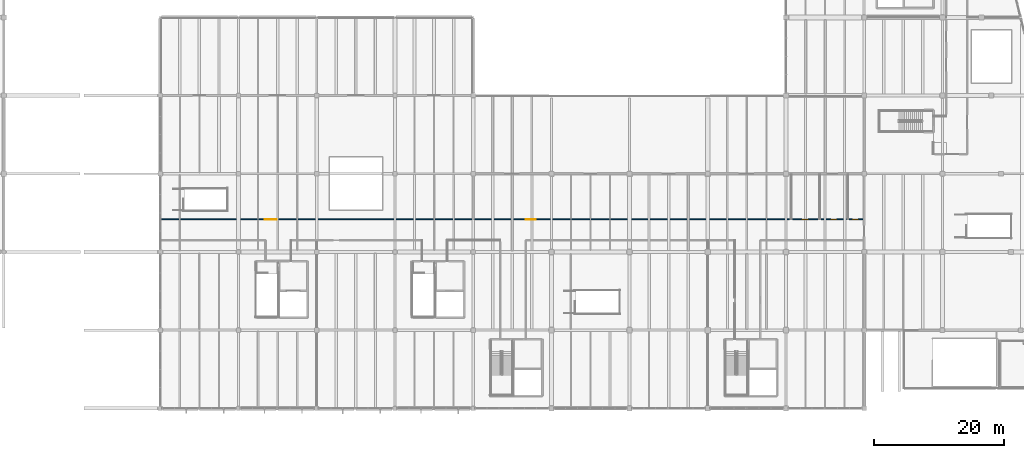
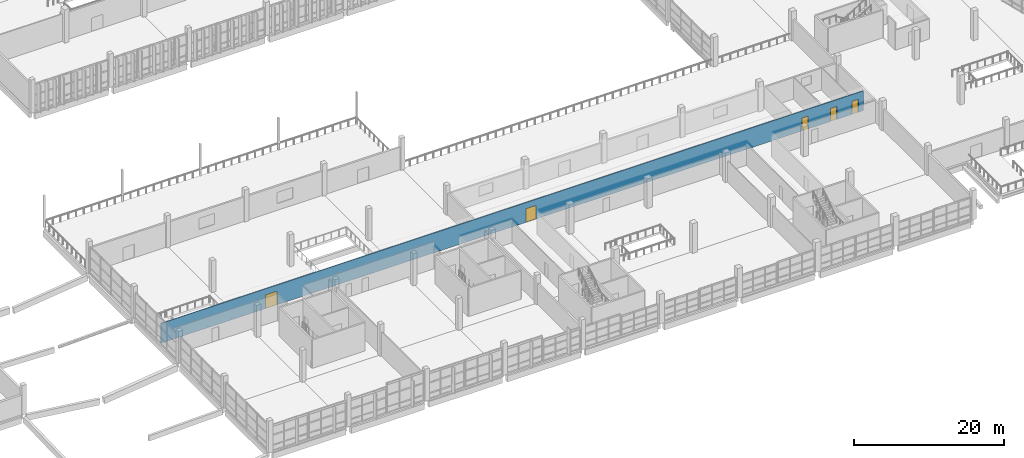
# One storey, part 78 of 112: 5 doors, 1 wall, 5 openings.
"""IFC4 building model written with IfcOpenShell, lengths in metres."""

from ifc_helpers import new_model, si_unit, direction, frame, frame_2d, origin, place, context, subcontext, project, spatial, rectangle, extrude, material, layer, layer_set, type_object, element, fill, save


model = new_model("IFC4")

# Units and contexts
model_context = context("Model", 3, precision=1e-05, world=origin(), true_north=direction((0.0, 1.0)))
body_context = subcontext(model_context, "Body", "Model", "MODEL_VIEW")
ifc_project = project(units=[si_unit("LENGTHUNIT", "METRE"), si_unit("AREAUNIT", "SQUARE_METRE"), si_unit("VOLUMEUNIT", "CUBIC_METRE"), si_unit("PLANEANGLEUNIT", "RADIAN"), si_unit("MASSUNIT", "GRAM", prefix="KILO")], contexts=[model_context])

# Site, building, storey
site_placement = place(None, origin())
site = spatial("IfcSite", under=ifc_project, at=site_placement, CompositionType="ELEMENT")
building_placement = place(site_placement, origin())
building = spatial("IfcBuilding", under=site, at=building_placement, Name="Kamomehara Wholesale Market", CompositionType="ELEMENT")
storey_placement = place(building_placement, frame((0.0, 0.0, 6.60009765625)))
storey = spatial("IfcBuildingStorey", under=building, at=storey_placement, Name="L01", CompositionType="ELEMENT", Elevation=6.60009765625)

# Wall, openings, doors
ifc_material_1 = material(Name="Gypsum board partition")
ifc_layer = layer(ifc_material_1, 0.14990234375)
ifc_layer_set = layer_set([ifc_layer], Name="Gypsum board partition")
wall_type = type_object("IfcWallType", Name="IW-PRT-150", PredefinedType="PARTITIONING", material=ifc_layer_set)
wall_placement = place(storey_placement, frame((60.0400390625, 41.0, 0.0), z_axis=(0.0, 0.0, 1.0), x_axis=(1.0, 0.0, 0.0)))
wall = element("IfcWall", 1, at=wall_placement, inside=storey, type_object=wall_type, Name="Interior wall IW-PRT-150 325", PredefinedType="PARTITIONING", context=body_context, shape_type="SweptSolid", body=[
    extrude(rectangle(XDim=107.83984375, YDim=0.14990234375, at=frame_2d((53.919921875, 0.0))), origin(), (0.0, 0.0, 1.0), 3.19287109375),
])
opening_1_placement = place(wall_placement, frame((16.0, 0.0, 0.0)))
opening_1 = element("IfcOpeningElement", 2, at=opening_1_placement, cuts=wall, Name="Opening ID-L01-204", PredefinedType="OPENING", context=body_context, shape_type="SweptSolid", body=[
    extrude(rectangle(XDim=1.800048828125, YDim=2.199951171875, at=frame_2d((0.89990234375, 1.10009765625))), frame((0.0, 0.08984375, 0.0), z_axis=(0.0, -1.0, 0.0), x_axis=(1.0, 0.0, 0.0)), (0.0, 0.0, 1.0), 0.1796875),
])
opening_2_placement = place(wall_placement, frame((56.0, 0.0, 0.0)))
opening_2 = element("IfcOpeningElement", 3, at=opening_2_placement, cuts=wall, Name="Opening ID-L01-205", PredefinedType="OPENING", context=body_context, shape_type="SweptSolid", body=[
    extrude(rectangle(XDim=1.60009765625, YDim=2.199951171875, at=frame_2d((0.800048828125, 1.10009765625))), frame((0.0, 0.08984375, 0.0), z_axis=(0.0, -1.0, 0.0), x_axis=(1.0, 0.0, 0.0)), (0.0, 0.0, 1.0), 0.1796875),
])
opening_3_placement = place(wall_placement, frame((98.39990234375, 0.0, 0.0)))
opening_3 = element("IfcOpeningElement", 4, at=opening_3_placement, cuts=wall, Name="Opening ID-L01-206", PredefinedType="OPENING", context=body_context, shape_type="SweptSolid", body=[
    extrude(rectangle(XDim=0.949951171875, YDim=2.10009765625, at=frame_2d((0.47509765625, 1.050048828125))), frame((0.0, 0.08984375, 0.0), z_axis=(0.0, -1.0, 0.0), x_axis=(1.0, 0.0, 0.0)), (0.0, 0.0, 1.0), 0.1796875),
])
opening_4_placement = place(wall_placement, frame((102.800048828125, 0.0, 0.0)))
opening_4 = element("IfcOpeningElement", 5, at=opening_4_placement, cuts=wall, Name="Opening ID-L01-207", PredefinedType="OPENING", context=body_context, shape_type="SweptSolid", body=[
    extrude(rectangle(XDim=0.949951171875, YDim=2.10009765625, at=frame_2d((0.47509765625, 1.050048828125))), frame((0.0, 0.08984375, 0.0), z_axis=(0.0, -1.0, 0.0), x_axis=(1.0, 0.0, 0.0)), (0.0, 0.0, 1.0), 0.1796875),
])
opening_5_placement = place(wall_placement, frame((106.10009765625, 0.0, 0.0)))
opening_5 = element("IfcOpeningElement", 6, at=opening_5_placement, cuts=wall, Name="Opening ID-L01-208", PredefinedType="OPENING", context=body_context, shape_type="SweptSolid", body=[
    extrude(rectangle(XDim=0.949951171875, YDim=2.10009765625, at=frame_2d((0.47509765625, 1.050048828125))), frame((0.0, 0.08984375, 0.0), z_axis=(0.0, -1.0, 0.0), x_axis=(1.0, 0.0, 0.0)), (0.0, 0.0, 1.0), 0.1796875),
])
ifc_material_2 = material(Name="Steel SN400B", Category="steel")
door_type_1 = type_object("IfcDoorType", Name="IDR-FD-1600x2200", OperationType="NOTDEFINED", PredefinedType="DOOR", material=ifc_material_2)
door_1_placement = place(opening_2_placement, origin())
door_1 = element("IfcDoor", 7, at=door_1_placement, inside=storey, type_object=door_type_1, Name="Interior door ID-L01-205", OperationType="SINGLE_SWING_LEFT", OverallHeight=2.199951171875, OverallWidth=1.60009765625, PredefinedType="DOOR", context=body_context, shape_type="SweptSolid", body=[
    extrude(rectangle(XDim=1.60009765625, YDim=2.199951171875, at=frame_2d((0.800048828125, 1.10009765625))), frame((0.0, 0.02490234375, 0.0), z_axis=(0.0, -1.0, 0.0), x_axis=(1.0, 0.0, 0.0)), (0.0, 0.0, 1.0), 0.050048828125),
])
fill(opening_2, door_1)
ifc_material_3 = material(Name="Steel SN400B", Category="steel")
door_type_2 = type_object("IfcDoorType", Name="IDR-FD-1800x2200", OperationType="NOTDEFINED", PredefinedType="DOOR", material=ifc_material_3)
door_2_placement = place(opening_1_placement, origin())
door_2 = element("IfcDoor", 8, at=door_2_placement, inside=storey, type_object=door_type_2, Name="Interior door ID-L01-204", OperationType="SINGLE_SWING_RIGHT", OverallHeight=2.199951171875, OverallWidth=1.800048828125, PredefinedType="DOOR", context=body_context, shape_type="SweptSolid", body=[
    extrude(rectangle(XDim=1.800048828125, YDim=2.199951171875, at=frame_2d((0.89990234375, 1.10009765625))), frame((0.0, 0.02490234375, 0.0), z_axis=(0.0, -1.0, 0.0), x_axis=(1.0, 0.0, 0.0)), (0.0, 0.0, 1.0), 0.050048828125),
])
fill(opening_1, door_2)
ifc_material_4 = material(Name="Anodised aluminium 6063-T5", Category="aluminium")
door_type_3 = type_object("IfcDoorType", Name="IDR-WC-950x2100", OperationType="NOTDEFINED", PredefinedType="DOOR", material=ifc_material_4)
door_3_placement = place(opening_3_placement, origin())
door_3 = element("IfcDoor", 9, at=door_3_placement, inside=storey, type_object=door_type_3, Name="Interior door ID-L01-206", OperationType="SINGLE_SWING_RIGHT", OverallHeight=2.10009765625, OverallWidth=0.949951171875, PredefinedType="DOOR", context=body_context, shape_type="SweptSolid", body=[
    extrude(rectangle(XDim=0.949951171875, YDim=2.10009765625, at=frame_2d((0.47509765625, 1.050048828125))), frame((0.0, 0.02490234375, 0.0), z_axis=(0.0, -1.0, 0.0), x_axis=(1.0, 0.0, 0.0)), (0.0, 0.0, 1.0), 0.050048828125),
])
fill(opening_3, door_3)
door_4_placement = place(opening_4_placement, origin())
door_4 = element("IfcDoor", 10, at=door_4_placement, inside=storey, type_object=door_type_3, Name="Interior door ID-L01-207", OperationType="SINGLE_SWING_LEFT", OverallHeight=2.10009765625, OverallWidth=0.949951171875, PredefinedType="DOOR", context=body_context, shape_type="SweptSolid", body=[
    extrude(rectangle(XDim=0.949951171875, YDim=2.10009765625, at=frame_2d((0.47509765625, 1.050048828125))), frame((0.0, 0.02490234375, 0.0), z_axis=(0.0, -1.0, 0.0), x_axis=(1.0, 0.0, 0.0)), (0.0, 0.0, 1.0), 0.050048828125),
])
fill(opening_4, door_4)
door_5_placement = place(opening_5_placement, origin())
door_5 = element("IfcDoor", 11, at=door_5_placement, inside=storey, type_object=door_type_3, Name="Interior door ID-L01-208", OperationType="SINGLE_SWING_RIGHT", OverallHeight=2.10009765625, OverallWidth=0.949951171875, PredefinedType="DOOR", context=body_context, shape_type="SweptSolid", body=[
    extrude(rectangle(XDim=0.949951171875, YDim=2.10009765625, at=frame_2d((0.47509765625, 1.050048828125))), frame((0.0, 0.02490234375, 0.0), z_axis=(0.0, -1.0, 0.0), x_axis=(1.0, 0.0, 0.0)), (0.0, 0.0, 1.0), 0.050048828125),
])
fill(opening_5, door_5)

save(model, "model.ifc")
